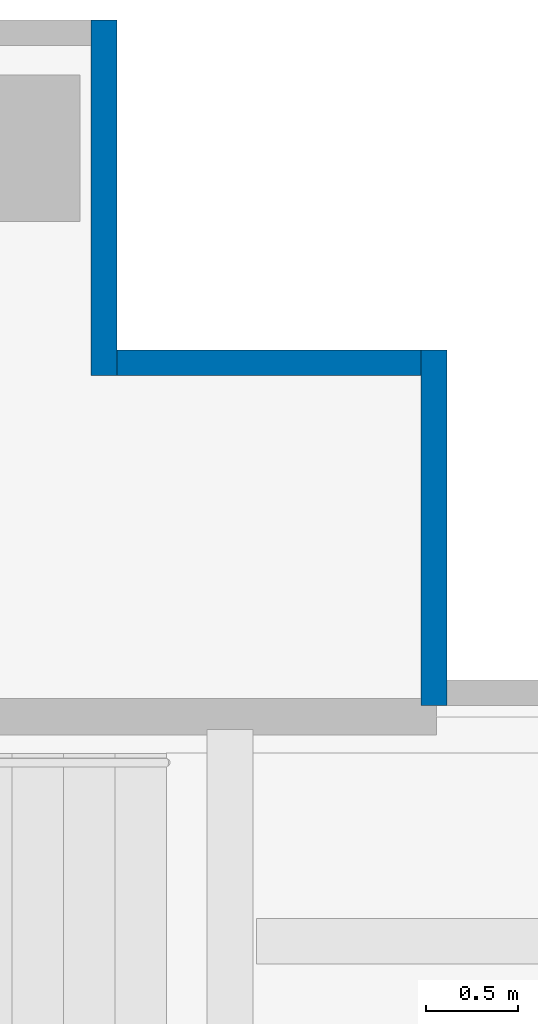
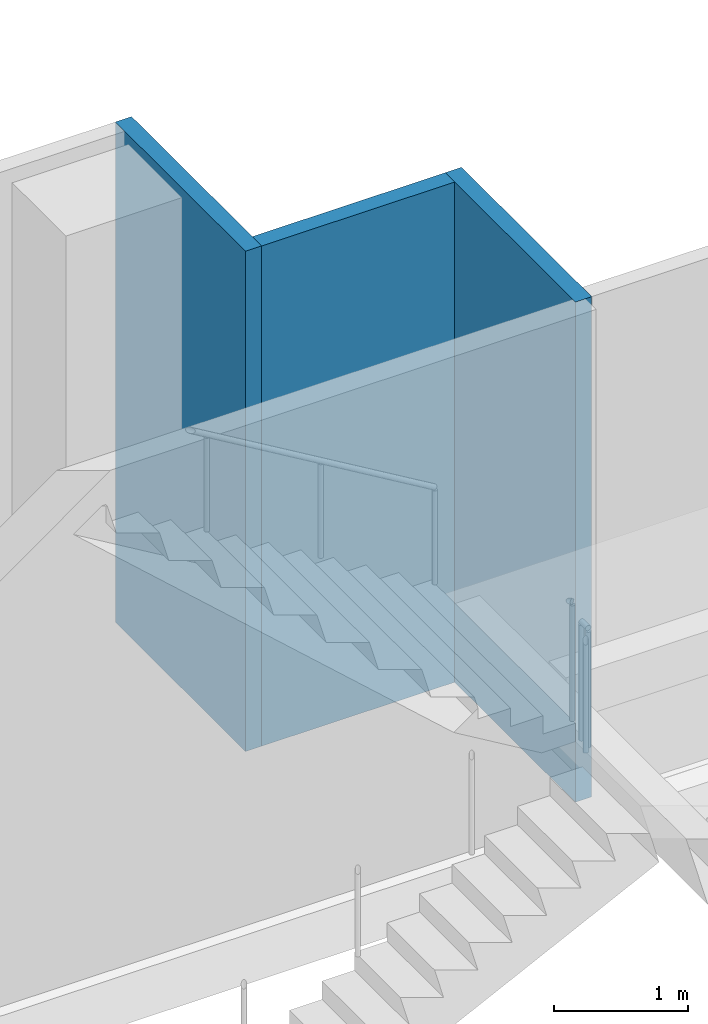
# One storey, part 9 of 24: 3 walls.
"""IFC4 building model written with IfcOpenShell, lengths in metres."""

from ifc_helpers import new_model, si_unit, direction, frame, frame_2d, origin, place, context, subcontext, project, spatial, rectangle, extrude, material, layer, layer_set, type_object, element, save


model = new_model("IFC4")

# Units and contexts
model_context = context("Model", 3, precision=1e-05, world=origin(), true_north=direction((0.0, 1.0)))
body_context = subcontext(model_context, "Body", "Model", "MODEL_VIEW")
ifc_project = project(units=[si_unit("LENGTHUNIT", "METRE"), si_unit("AREAUNIT", "SQUARE_METRE"), si_unit("VOLUMEUNIT", "CUBIC_METRE"), si_unit("PLANEANGLEUNIT", "RADIAN"), si_unit("MASSUNIT", "GRAM", prefix="KILO")], contexts=[model_context])

# Site, building, storey
site_placement = place(None, origin())
site = spatial("IfcSite", under=ifc_project, at=site_placement, CompositionType="ELEMENT")
building_placement = place(site_placement, origin())
building = spatial("IfcBuilding", under=site, at=building_placement, Name="Verdalira Terraces Hotel", CompositionType="ELEMENT")
storey_placement = place(building_placement, frame((0.0, 0.0, 14.0)))
storey = spatial("IfcBuildingStorey", under=building, at=storey_placement, Name="L02", CompositionType="ELEMENT", Elevation=14.0)

# Walls
ifc_material_1 = material(Name="Concrete C40", Category="concrete")
ifc_layer_1 = layer(ifc_material_1, 0.139892578125)
ifc_layer_set_1 = layer_set([ifc_layer_1], Name="Terracotta clad concrete wall C40 140 mm")
wall_type_1 = type_object("IfcWallType", Name="Terracotta clad concrete wall C40 140 mm", PredefinedType="SOLIDWALL", material=ifc_layer_set_1)
wall_1_placement = place(storey_placement, frame((4.629883, 41.26001, 0.0), z_axis=(0.0, 0.0, 1.0), x_axis=(0.0, 1.0, 0.0)))
element("IfcWall", 1, at=wall_1_placement, inside=storey, type_object=wall_type_1, Name="Podium facade wall", PredefinedType="SOLIDWALL", context=body_context, shape_type="SweptSolid", body=[
    extrude(rectangle(XDim=1.939941, YDim=0.139893, at=frame_2d((0.969971, 0.0))), origin(), (0.0, 0.0, 1.0), 4.550049),
])
ifc_material_2 = material(Name="Terracotta cladding on steel stud backup", Category="masonry")
ifc_layer_2 = layer(ifc_material_2, 0.139892578125)
ifc_layer_set_2 = layer_set([ifc_layer_2], Name="Terracotta clad wall 140 mm")
wall_type_2 = type_object("IfcWallType", Name="Terracotta clad wall 140 mm", PredefinedType="SOLIDWALL", material=ifc_layer_set_2)
wall_2_placement = place(storey_placement, frame((4.560059, 43.129883, 0.0), z_axis=(0.0, 0.0, 1.0), x_axis=(-1.0, 0.0, 0.0)))
element("IfcWall", 2, at=wall_2_placement, inside=storey, type_object=wall_type_2, Name="Podium facade wall", PredefinedType="SOLIDWALL", context=body_context, shape_type="SweptSolid", body=[
    extrude(rectangle(XDim=1.660156, YDim=0.139893, at=frame_2d((0.830078, 0.0))), origin(), (0.0, 0.0, 1.0), 4.550049),
])
wall_3_placement = place(storey_placement, frame((2.830078, 43.060059, 0.0), z_axis=(0.0, 0.0, 1.0), x_axis=(0.0, 1.0, 0.0)))
element("IfcWall", 3, at=wall_3_placement, inside=storey, type_object=wall_type_2, Name="Podium facade wall", PredefinedType="SOLIDWALL", context=body_context, shape_type="SweptSolid", body=[
    extrude(rectangle(XDim=1.939941, YDim=0.139893, at=frame_2d((0.969971, 0.0))), origin(), (0.0, 0.0, 1.0), 4.550049),
])

save(model, "model.ifc")
